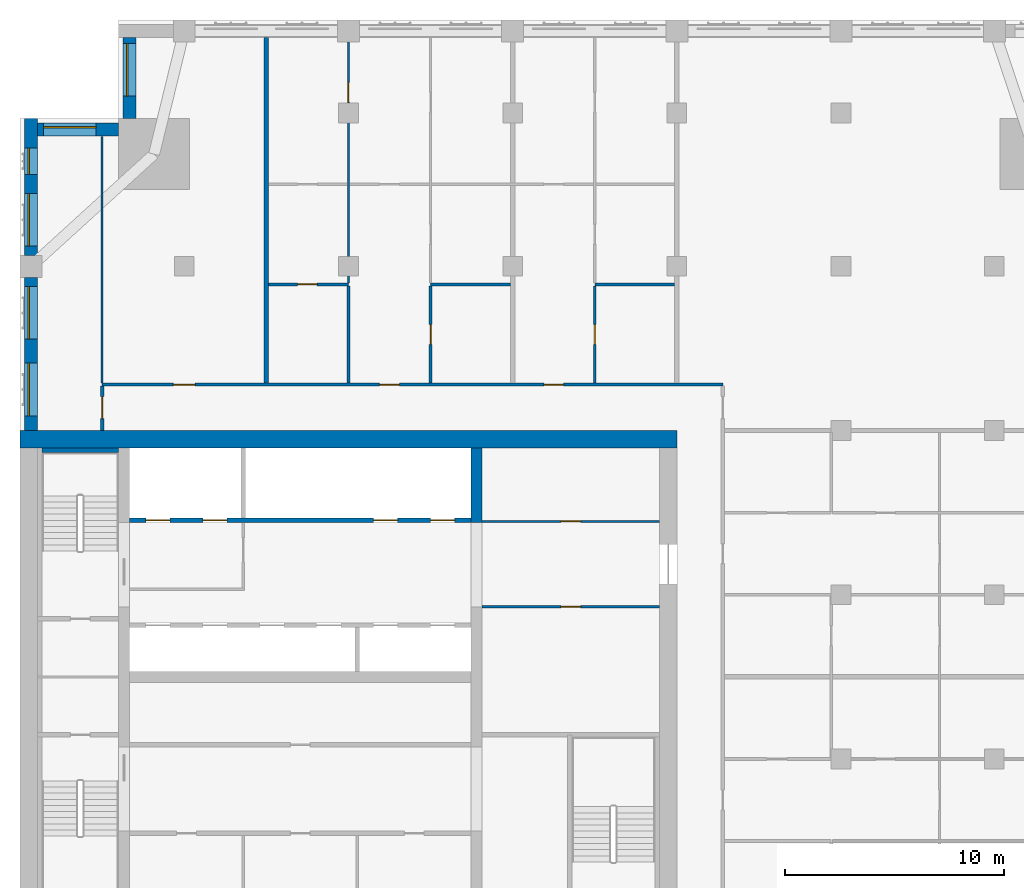
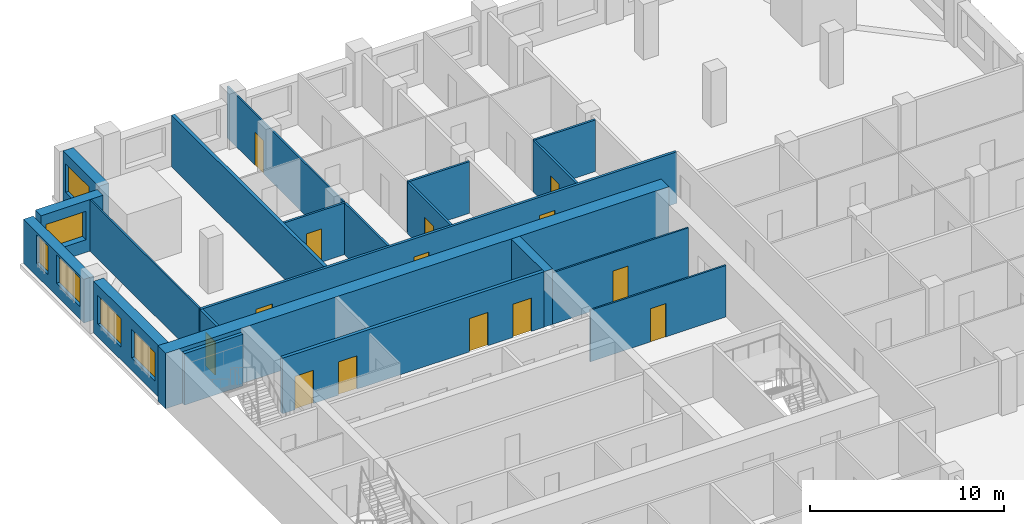
# One storey, part 10 of 14: 21 walls, 14 doors, 6 windows, 20 openings.
"""IFC4 building model written with IfcOpenShell, lengths in metres."""

import ifcopenshell
import ifcopenshell.guid

model = None  # the IFC model being written
_history = None  # IfcOwnerHistory: only IFC2X3 demands one
_inside = {}  # id of a spatial element -> (the spatial element, [elements in it])
_under = {}  # id of a project, library or spatial element -> (it, [spatial elements below it])
_declared = {}  # id of a project -> (the project, [libraries it declares])
_typed = {}  # id of a type object -> (the type object, [elements of that type])
_made_of = {}  # id of a material, layer set ... -> (it, [elements and type objects made of it])


def new_model(schema):
    """Start an empty IFC model of exactly this schema.

    Asked for "IFC4X3", IfcOpenShell would pick the latest addendum, in which some entities
    have other attributes; the version numbers below select the first issue.
    IFC2X3 requires an IfcOwnerHistory on every rooted entity: one is made here for all.
    """
    global model, _history
    if schema == "IFC4X3":
        model = ifcopenshell.file(schema_version=(4, 3, 0, 0))
    else:
        model = ifcopenshell.file(schema=schema)
    _inside.clear()
    _under.clear()
    _declared.clear()
    _typed.clear()
    _made_of.clear()
    _history = None
    if model.schema == "IFC2X3":
        org = make("IfcOrganization", Name="unknown")
        user = make(
            "IfcPersonAndOrganization",
            ThePerson=make("IfcPerson", FamilyName="unknown"),
            TheOrganization=org,
        )
        app = make(
            "IfcApplication",
            ApplicationDeveloper=org,
            Version="unknown",
            ApplicationFullName="unknown",
            ApplicationIdentifier="unknown",
        )
        _history = make(
            "IfcOwnerHistory",
            OwningUser=user,
            OwningApplication=app,
            ChangeAction="ADDED",
            CreationDate=0,
        )
    return model


def make(cls, **values):
    """One entity of the class cls with the attributes given. An attribute that is None is left unset."""
    return model.create_entity(
        cls, **{name: value for name, value in values.items() if value is not None}
    )


def rooted(cls, **values):
    """An entity with a GlobalId (a new one), such as an element, a storey or a relation."""
    return make(cls, GlobalId=ifcopenshell.guid.new(), OwnerHistory=_history, **values)


def si_unit(unit_type, name, prefix=None):
    """IfcSIUnit, for example si_unit("LENGTHUNIT", "METRE", prefix="MILLI")."""
    return make("IfcSIUnit", UnitType=unit_type, Prefix=prefix, Name=name)


def assignment(units):
    """IfcUnitAssignment: the units of a project."""
    return None if units is None else make("IfcUnitAssignment", Units=units)


def point(xyz):
    """IfcCartesianPoint."""
    return None if xyz is None else make("IfcCartesianPoint", Coordinates=xyz)


def direction(xyz):
    """IfcDirection."""
    return None if xyz is None else make("IfcDirection", DirectionRatios=xyz)


def frame(location, z_axis=None, x_axis=None):
    """IfcAxis2Placement3D, a coordinate frame: its origin and axes. An axis left out is left unset."""
    return make(
        "IfcAxis2Placement3D",
        Location=point(location),
        Axis=direction(z_axis),
        RefDirection=direction(x_axis),
    )


def frame_2d(location, x_axis=None):
    """IfcAxis2Placement2D, a coordinate frame in the plane: its origin and x axis."""
    return make(
        "IfcAxis2Placement2D", Location=point(location), RefDirection=direction(x_axis)
    )


def origin():
    """The frame at (0, 0, 0) with its axes left unset."""
    return frame((0.0, 0.0, 0.0))


def place(relative_to, where):
    """IfcLocalPlacement: puts the frame where relative to a parent placement (None: the world)."""
    return make(
        "IfcLocalPlacement", PlacementRelTo=relative_to, RelativePlacement=where
    )


def context(
    kind, dimensions, precision=None, world=None, true_north=None, identifier=None
):
    """IfcGeometricRepresentationContext, for example the 3D "Model" context."""
    return make(
        "IfcGeometricRepresentationContext",
        ContextIdentifier=identifier,
        ContextType=kind,
        CoordinateSpaceDimension=dimensions,
        Precision=precision,
        WorldCoordinateSystem=world,
        TrueNorth=true_north,
    )


def subcontext(parent, identifier, kind, view, scale=None):
    """IfcGeometricRepresentationSubContext, for example "Body" below "Model"."""
    return make(
        "IfcGeometricRepresentationSubContext",
        ContextIdentifier=identifier,
        ContextType=kind,
        ParentContext=parent,
        TargetScale=scale,
        TargetView=view,
    )


def project(units=None, contexts=None):
    """IfcProject with its units and contexts."""
    return rooted(
        "IfcProject",
        Name="project",
        RepresentationContexts=contexts,
        UnitsInContext=assignment(units),
    )


def spatial(cls, under=None, at=None, **own):
    """A site, building, storey or space (cls), placed at a placement, below another one or the project."""
    s = rooted(cls, ObjectPlacement=at, **own)
    if under is not None:
        _under.setdefault(under.id(), (under, []))[1].append(s)
    return s


def profile(cls, at=None, kind="AREA", **sizes):
    """A parametric profile (cls). Its sizes go by their IFC names, for example OverallWidth=200.0."""
    return make(cls, ProfileType=kind, Position=at, **sizes)


def rectangle(**sizes):
    """IfcRectangleProfileDef."""
    return profile("IfcRectangleProfileDef", **sizes)


def extrude(swept, where, along, depth):
    """IfcExtrudedAreaSolid: the profile swept, set in the frame where, extruded along a direction by depth."""
    return make(
        "IfcExtrudedAreaSolid",
        SweptArea=swept,
        Position=where,
        ExtrudedDirection=direction(along),
        Depth=depth,
    )


def shape(context_of_items, identifier, shape_type, items):
    """IfcShapeRepresentation: the items that make up one representation, for example the "Body"."""
    return make(
        "IfcShapeRepresentation",
        ContextOfItems=context_of_items,
        RepresentationIdentifier=identifier,
        RepresentationType=shape_type,
        Items=items,
    )


def material(Name=None, Category=None):
    """IfcMaterial."""
    return make("IfcMaterial", Name=Name, Category=Category)


def layer(
    of_material, thickness, ventilated=None, Name=None, Category=None, Priority=None
):
    """IfcMaterialLayer: one layer of a wall or slab, of a material (None: an air gap)."""
    return make(
        "IfcMaterialLayer",
        Material=of_material,
        LayerThickness=thickness,
        IsVentilated=ventilated,
        Name=Name,
        Category=Category,
        Priority=Priority,
    )


def layer_set(layers, Name=None):
    """IfcMaterialLayerSet."""
    return make("IfcMaterialLayerSet", MaterialLayers=layers, LayerSetName=Name)


def made_of(thing, what):
    """Note that an element or type object is made of a material, layer set ...; save() writes the relation."""
    if what is not None:
        _made_of.setdefault(what.id(), (what, []))[1].append(thing)
    return thing


def type_object(cls, material=None, **own):
    """A type object (cls), such as IfcWallType, which elements share."""
    return made_of(rooted(cls, **own), material)


def element(
    cls,
    number,
    at=None,
    inside=None,
    cuts=None,
    type_object=None,
    material=None,
    context=None,
    identifier="Body",
    shape_type=None,
    held_by="IfcProductDefinitionShape",
    body=None,
    shapes=None,
    **own,
):
    """One element of the class cls, such as IfcWall. Its Tag is "e" and its number.

    at: its placement. inside: the storey or other place that contains it. cuts: it is an
    opening in that element (IfcRelVoidsElement). A single representation is given by context,
    identifier, shape_type and body (its items); several are given by shapes. held_by: the class
    of the entity that holds the representations. save() writes the other relations.
    """
    e = rooted(cls, Tag="e%d" % number, ObjectPlacement=at, **own)
    if body is not None:
        shapes = [shape(context, identifier, shape_type, body)]
    if shapes is not None:
        e.Representation = make(held_by, Representations=shapes)
    if inside is not None:
        _inside.setdefault(inside.id(), (inside, []))[1].append(e)
    if cuts is not None:
        rooted(
            "IfcRelVoidsElement", RelatingBuildingElement=cuts, RelatedOpeningElement=e
        )
    if type_object is not None:
        _typed.setdefault(type_object.id(), (type_object, []))[1].append(e)
    return made_of(e, material)


def fill(opening, filler):
    """IfcRelFillsElement: the door or window that sits in an opening."""
    return rooted(
        "IfcRelFillsElement",
        RelatingOpeningElement=opening,
        RelatedBuildingElement=filler,
    )


def aggregate(whole, parts):
    """IfcRelAggregates: a whole, such as a stair, and the parts it consists of."""
    return rooted("IfcRelAggregates", RelatingObject=whole, RelatedObjects=parts)


def save(model, path):
    """Write the relations noted so far, then the file.

    IfcRelAggregates (storeys below a building ...), IfcRelContainedInSpatialStructure (elements
    in a storey), IfcRelDefinesByType, IfcRelAssociatesMaterial and IfcRelDeclares: one each for
    every whole, place, type object, material and project.
    """
    for whole, parts in _under.values():
        aggregate(whole, parts)
    for where, things in _inside.values():
        rooted(
            "IfcRelContainedInSpatialStructure",
            RelatedElements=things,
            RelatingStructure=where,
        )
    for kind, things in _typed.values():
        rooted("IfcRelDefinesByType", RelatedObjects=things, RelatingType=kind)
    for what, things in _made_of.values():
        rooted("IfcRelAssociatesMaterial", RelatedObjects=things, RelatingMaterial=what)
    for by, libraries in _declared.values():
        rooted("IfcRelDeclares", RelatingContext=by, RelatedDefinitions=libraries)
    model.write(path)


model = new_model("IFC4")

# Units and contexts
model_context = context("Model", 3, precision=1e-05, world=origin(), true_north=direction((0.0, 1.0)))
body_context = subcontext(model_context, "Body", "Model", "MODEL_VIEW")
ifc_project = project(units=[si_unit("LENGTHUNIT", "METRE"), si_unit("AREAUNIT", "SQUARE_METRE"), si_unit("VOLUMEUNIT", "CUBIC_METRE"), si_unit("PLANEANGLEUNIT", "RADIAN"), si_unit("MASSUNIT", "GRAM", prefix="KILO")], contexts=[model_context])

# Site, building, storey
site_placement = place(None, origin())
site = spatial("IfcSite", under=ifc_project, at=site_placement, CompositionType="ELEMENT")
building_placement = place(site_placement, origin())
building = spatial("IfcBuilding", under=site, at=building_placement, Name="Tamorin Gate", CompositionType="ELEMENT")
storey_placement = place(building_placement, frame((0.0, 0.0, 179.199951171875)))
storey = spatial("IfcBuildingStorey", under=building, at=storey_placement, Name="L43", CompositionType="ELEMENT", Elevation=179.199951171875)

# Wall, opening, window
ifc_material_1 = material(Name="Precast concrete C40/50", Category="concrete")
ifc_layer_1 = layer(ifc_material_1, 0.60009765625)
ifc_layer_set_1 = layer_set([ifc_layer_1], Name="Precast concrete C40/50")
wall_type_1 = type_object("IfcWallType", Name="Board-marked concrete facade panel 600", PredefinedType="SOLIDWALL", material=ifc_layer_set_1)
wall_1_placement = place(storey_placement, frame((35.0, 100.449951171875, 0.0), z_axis=(0.0, 0.0, 1.0), x_axis=(0.0, -1.0, 0.0)))
wall_1 = element("IfcWall", 1, at=wall_1_placement, inside=storey, type_object=wall_type_1, Name="Facade panel", PredefinedType="SOLIDWALL", context=body_context, shape_type="SweptSolid", body=[
    extrude(rectangle(XDim=3.699951171875, YDim=0.60009765625, at=frame_2d((1.85009765625, 0.0))), origin(), (0.0, 0.0, 1.0), 3.25),
])
opening_1_placement = place(wall_1_placement, frame((0.27490234375, 0.0, 0.800048828125)))
opening_1 = element("IfcOpeningElement", 2, at=opening_1_placement, cuts=wall_1, Name="Opening WN1", PredefinedType="OPENING", context=body_context, shape_type="SweptSolid", body=[
    extrude(rectangle(XDim=2.39990234375, YDim=1.800048828125, at=frame_2d((1.199951171875, 0.89990234375))), frame((0.0, 0.31005859375, 0.0), z_axis=(0.0, -1.0, 0.0), x_axis=(1.0, 0.0, 0.0)), (0.0, 0.0, 1.0), 0.6201171875),
])
ifc_material_2 = material(Name="Clear glass in aluminium frame", Category="aluminium")
window_type_1 = type_object("IfcWindowType", Name="Deep-set window 2400x1800", PartitioningType="SINGLE_PANEL", PredefinedType="WINDOW", material=ifc_material_2)
window_1_placement = place(opening_1_placement, origin())
window_1 = element("IfcWindow", 3, at=window_1_placement, inside=storey, type_object=window_type_1, Name="Deep-set window", OverallHeight=1.800048828125, OverallWidth=2.39990234375, PartitioningType="SINGLE_PANEL", PredefinedType="WINDOW", context=body_context, shape_type="SweptSolid", body=[
    extrude(rectangle(XDim=2.39990234375, YDim=1.800048828125, at=frame_2d((1.199951171875, 0.89990234375))), frame((0.0, -0.070068359375, 0.0), z_axis=(0.0, -1.0, 0.0), x_axis=(1.0, 0.0, 0.0)), (0.0, 0.0, 1.0), 0.06005859375),
])
fill(opening_1, window_1)

wall_2_placement = place(storey_placement, frame((34.5, 96.25, 0.0), z_axis=(0.0, 0.0, 1.0), x_axis=(-1.0, 0.0, 0.0)))
wall_2 = element("IfcWall", 4, at=wall_2_placement, inside=storey, type_object=wall_type_1, Name="Facade panel", PredefinedType="SOLIDWALL", context=body_context, shape_type="SweptSolid", body=[
    extrude(rectangle(XDim=3.699951171875, YDim=0.60009765625, at=frame_2d((1.85009765625, 0.0))), origin(), (0.0, 0.0, 1.0), 3.25),
])
opening_2_placement = place(wall_2_placement, frame((1.02490234375, 0.0, 0.800048828125)))
opening_2 = element("IfcOpeningElement", 5, at=opening_2_placement, cuts=wall_2, Name="Opening WN1", PredefinedType="OPENING", context=body_context, shape_type="SweptSolid", body=[
    extrude(rectangle(XDim=2.39990234375, YDim=1.800048828125, at=frame_2d((1.199951171875, 0.89990234375))), frame((0.0, 0.31005859375, 0.0), z_axis=(0.0, -1.0, 0.0), x_axis=(1.0, 0.0, 0.0)), (0.0, 0.0, 1.0), 0.6201171875),
])
window_2_placement = place(opening_2_placement, origin())
window_2 = element("IfcWindow", 6, at=window_2_placement, inside=storey, type_object=window_type_1, Name="Deep-set window", OverallHeight=1.800048828125, OverallWidth=2.39990234375, PartitioningType="SINGLE_PANEL", PredefinedType="WINDOW", context=body_context, shape_type="SweptSolid", body=[
    extrude(rectangle(XDim=2.39990234375, YDim=1.800048828125, at=frame_2d((1.199951171875, 0.89990234375))), frame((0.0, -0.070068359375, 0.0), z_axis=(0.0, -1.0, 0.0), x_axis=(1.0, 0.0, 0.0)), (0.0, 0.0, 1.0), 0.06005859375),
])
fill(opening_2, window_2)

# Wall, openings, windows
wall_3_placement = place(storey_placement, frame((30.5, 96.75, 0.0), z_axis=(0.0, 0.0, 1.0), x_axis=(0.0, -1.0, 0.0)))
wall_3 = element("IfcWall", 7, at=wall_3_placement, inside=storey, type_object=wall_type_1, Name="Facade panel", PredefinedType="SOLIDWALL", context=body_context, shape_type="SweptSolid", body=[
    extrude(rectangle(XDim=6.25, YDim=0.60009765625, at=frame_2d((3.125, 0.0))), origin(), (0.0, 0.0, 1.0), 2.75),
])
opening_3_placement = place(wall_3_placement, frame((3.425048828125, 0.0, 0.800048828125)))
opening_3 = element("IfcOpeningElement", 8, at=opening_3_placement, cuts=wall_3, Name="Opening WN1", PredefinedType="OPENING", context=body_context, shape_type="SweptSolid", body=[
    extrude(rectangle(XDim=2.39990234375, YDim=1.800048828125, at=frame_2d((1.199951171875, 0.89990234375))), frame((0.0, 0.31005859375, 0.0), z_axis=(0.0, -1.0, 0.0), x_axis=(1.0, 0.0, 0.0)), (0.0, 0.0, 1.0), 0.6201171875),
])
opening_4_placement = place(wall_3_placement, frame((1.35009765625, 0.0, 0.800048828125)))
opening_4 = element("IfcOpeningElement", 9, at=opening_4_placement, cuts=wall_3, Name="Opening WN3", PredefinedType="OPENING", context=body_context, shape_type="SweptSolid", body=[
    extrude(rectangle(XDim=1.199951171875, YDim=1.800048828125, at=frame_2d((0.60009765625, 0.89990234375))), frame((0.0, 0.31005859375, 0.0), z_axis=(0.0, -1.0, 0.0), x_axis=(1.0, 0.0, 0.0)), (0.0, 0.0, 1.0), 0.6201171875),
])
window_type_2 = type_object("IfcWindowType", Name="Deep-set window 1200x1800", PartitioningType="SINGLE_PANEL", PredefinedType="WINDOW", material=ifc_material_2)
window_3_placement = place(opening_4_placement, origin())
window_3 = element("IfcWindow", 10, at=window_3_placement, inside=storey, type_object=window_type_2, Name="Deep-set window", OverallHeight=1.800048828125, OverallWidth=1.199951171875, PartitioningType="SINGLE_PANEL", PredefinedType="WINDOW", context=body_context, shape_type="SweptSolid", body=[
    extrude(rectangle(XDim=1.199951171875, YDim=1.800048828125, at=frame_2d((0.60009765625, 0.89990234375))), frame((0.0, -0.070068359375, 0.0), z_axis=(0.0, -1.0, 0.0), x_axis=(1.0, 0.0, 0.0)), (0.0, 0.0, 1.0), 0.06005859375),
])
fill(opening_4, window_3)
window_4_placement = place(opening_3_placement, origin())
window_4 = element("IfcWindow", 11, at=window_4_placement, inside=storey, type_object=window_type_1, Name="Deep-set window", OverallHeight=1.800048828125, OverallWidth=2.39990234375, PartitioningType="SINGLE_PANEL", PredefinedType="WINDOW", context=body_context, shape_type="SweptSolid", body=[
    extrude(rectangle(XDim=2.39990234375, YDim=1.800048828125, at=frame_2d((1.199951171875, 0.89990234375))), frame((0.0, -0.070068359375, 0.0), z_axis=(0.0, -1.0, 0.0), x_axis=(1.0, 0.0, 0.0)), (0.0, 0.0, 1.0), 0.06005859375),
])
fill(opening_3, window_4)

wall_4_placement = place(storey_placement, frame((30.5, 89.5, 0.0), z_axis=(0.0, 0.0, 1.0), x_axis=(0.0, -1.0, 0.0)))
wall_4 = element("IfcWall", 12, at=wall_4_placement, inside=storey, type_object=wall_type_1, Name="Facade panel", PredefinedType="SOLIDWALL", context=body_context, shape_type="SweptSolid", body=[
    extrude(rectangle(XDim=7.0, YDim=0.60009765625, at=frame_2d((3.5, 0.0))), origin(), (0.0, 0.0, 1.0), 3.25),
])
opening_5_placement = place(wall_4_placement, frame((3.925048828125, 0.0, 0.800048828125)))
opening_5 = element("IfcOpeningElement", 13, at=opening_5_placement, cuts=wall_4, Name="Opening WN1", PredefinedType="OPENING", context=body_context, shape_type="SweptSolid", body=[
    extrude(rectangle(XDim=2.39990234375, YDim=1.800048828125, at=frame_2d((1.199951171875, 0.89990234375))), frame((0.0, 0.31005859375, 0.0), z_axis=(0.0, -1.0, 0.0), x_axis=(1.0, 0.0, 0.0)), (0.0, 0.0, 1.0), 0.6201171875),
])
opening_6_placement = place(wall_4_placement, frame((0.425048828125, 0.0, 0.800048828125)))
opening_6 = element("IfcOpeningElement", 14, at=opening_6_placement, cuts=wall_4, Name="Opening WN1", PredefinedType="OPENING", context=body_context, shape_type="SweptSolid", body=[
    extrude(rectangle(XDim=2.39990234375, YDim=1.800048828125, at=frame_2d((1.199951171875, 0.89990234375))), frame((0.0, 0.31005859375, 0.0), z_axis=(0.0, -1.0, 0.0), x_axis=(1.0, 0.0, 0.0)), (0.0, 0.0, 1.0), 0.6201171875),
])
window_5_placement = place(opening_5_placement, origin())
window_5 = element("IfcWindow", 15, at=window_5_placement, inside=storey, type_object=window_type_1, Name="Deep-set window", OverallHeight=1.800048828125, OverallWidth=2.39990234375, PartitioningType="SINGLE_PANEL", PredefinedType="WINDOW", context=body_context, shape_type="SweptSolid", body=[
    extrude(rectangle(XDim=2.39990234375, YDim=1.800048828125, at=frame_2d((1.199951171875, 0.89990234375))), frame((0.0, -0.070068359375, 0.0), z_axis=(0.0, -1.0, 0.0), x_axis=(1.0, 0.0, 0.0)), (0.0, 0.0, 1.0), 0.06005859375),
])
fill(opening_5, window_5)
window_6_placement = place(opening_6_placement, origin())
window_6 = element("IfcWindow", 16, at=window_6_placement, inside=storey, type_object=window_type_1, Name="Deep-set window", OverallHeight=1.800048828125, OverallWidth=2.39990234375, PartitioningType="SINGLE_PANEL", PredefinedType="WINDOW", context=body_context, shape_type="SweptSolid", body=[
    extrude(rectangle(XDim=2.39990234375, YDim=1.800048828125, at=frame_2d((1.199951171875, 0.89990234375))), frame((0.0, -0.070068359375, 0.0), z_axis=(0.0, -1.0, 0.0), x_axis=(1.0, 0.0, 0.0)), (0.0, 0.0, 1.0), 0.06005859375),
])
fill(opening_6, window_6)

# Wall, openings, doors
ifc_material_3 = material(Name="Gypsum board partition")
ifc_layer_2 = layer(ifc_material_3, 0.14990234375)
ifc_layer_set_2 = layer_set([ifc_layer_2], Name="Corridor wall 150")
wall_type_2 = type_object("IfcWallType", Name="Corridor wall 150", PredefinedType="PARTITIONING", material=ifc_layer_set_2)
wall_5_placement = place(storey_placement, frame((33.75, 84.60009765625, 0.0), z_axis=(0.0, 0.0, 1.0), x_axis=(1.0, 0.0, 0.0)))
wall_5 = element("IfcWall", 17, at=wall_5_placement, inside=storey, type_object=wall_type_2, Name="Corridor wall 150", PredefinedType="PARTITIONING", context=body_context, shape_type="SweptSolid", body=[
    extrude(rectangle(XDim=28.35009765625, YDim=0.14990234375, at=frame_2d((14.175048828125, 0.0))), origin(), (0.0, 0.0, 1.0), 3.25),
])
opening_7_placement = place(wall_5_placement, frame((3.25, 0.0, 0.0)))
opening_7 = element("IfcOpeningElement", 18, at=opening_7_placement, cuts=wall_5, Name="Opening DR1022", PredefinedType="OPENING", context=body_context, shape_type="SweptSolid", body=[
    extrude(rectangle(XDim=1.0, YDim=2.10009765625, at=frame_2d((0.5, 1.050048828125))), frame((0.0, 0.0849609375, 0.0), z_axis=(0.0, -1.0, 0.0), x_axis=(1.0, 0.0, 0.0)), (0.0, 0.0, 1.0), 0.169921875),
])
opening_8_placement = place(wall_5_placement, frame((12.675048828125, 0.0, 0.0)))
opening_8 = element("IfcOpeningElement", 19, at=opening_8_placement, cuts=wall_5, Name="Opening DR1025", PredefinedType="OPENING", context=body_context, shape_type="SweptSolid", body=[
    extrude(rectangle(XDim=0.89990234375, YDim=2.10009765625, at=frame_2d((0.449951171875, 1.050048828125))), frame((0.0, 0.0849609375, 0.0), z_axis=(0.0, -1.0, 0.0), x_axis=(1.0, 0.0, 0.0)), (0.0, 0.0, 1.0), 0.169921875),
])
opening_9_placement = place(wall_5_placement, frame((20.175048828125, 0.0, 0.0)))
opening_9 = element("IfcOpeningElement", 20, at=opening_9_placement, cuts=wall_5, Name="Opening DR1031", PredefinedType="OPENING", context=body_context, shape_type="SweptSolid", body=[
    extrude(rectangle(XDim=0.89990234375, YDim=2.10009765625, at=frame_2d((0.449951171875, 1.050048828125))), frame((0.0, 0.0849609375, 0.0), z_axis=(0.0, -1.0, 0.0), x_axis=(1.0, 0.0, 0.0)), (0.0, 0.0, 1.0), 0.169921875),
])
ifc_material_4 = material(Name="Timber door leaf", Category="wood")
door_type_1 = type_object("IfcDoorType", Name="Door 1000 x 2100 FD30S", OperationType="NOTDEFINED", PredefinedType="DOOR", material=ifc_material_4)
door_1_placement = place(opening_7_placement, origin())
door_1 = element("IfcDoor", 21, at=door_1_placement, inside=storey, type_object=door_type_1, Name="Door DR1022", OperationType="SINGLE_SWING_LEFT", OverallHeight=2.10009765625, OverallWidth=1.0, PredefinedType="DOOR", context=body_context, shape_type="SweptSolid", body=[
    extrude(rectangle(XDim=1.0, YDim=2.10009765625, at=frame_2d((0.5, 1.050048828125))), frame((0.0, 0.02490234375, 0.0), z_axis=(0.0, -1.0, 0.0), x_axis=(1.0, 0.0, 0.0)), (0.0, 0.0, 1.0), 0.050048828125),
])
fill(opening_7, door_1)
door_type_2 = type_object("IfcDoorType", Name="Door 900 x 2100 FD30S", OperationType="NOTDEFINED", PredefinedType="DOOR", material=ifc_material_4)
door_2_placement = place(opening_8_placement, origin())
door_2 = element("IfcDoor", 22, at=door_2_placement, inside=storey, type_object=door_type_2, Name="Door DR1025", OperationType="SINGLE_SWING_LEFT", OverallHeight=2.10009765625, OverallWidth=0.89990234375, PredefinedType="DOOR", context=body_context, shape_type="SweptSolid", body=[
    extrude(rectangle(XDim=0.89990234375, YDim=2.10009765625, at=frame_2d((0.449951171875, 1.050048828125))), frame((0.0, 0.02490234375, 0.0), z_axis=(0.0, -1.0, 0.0), x_axis=(1.0, 0.0, 0.0)), (0.0, 0.0, 1.0), 0.050048828125),
])
fill(opening_8, door_2)
door_3_placement = place(opening_9_placement, origin())
door_3 = element("IfcDoor", 23, at=door_3_placement, inside=storey, type_object=door_type_2, Name="Door DR1031", OperationType="SINGLE_SWING_LEFT", OverallHeight=2.10009765625, OverallWidth=0.89990234375, PredefinedType="DOOR", context=body_context, shape_type="SweptSolid", body=[
    extrude(rectangle(XDim=0.89990234375, YDim=2.10009765625, at=frame_2d((0.449951171875, 1.050048828125))), frame((0.0, 0.02490234375, 0.0), z_axis=(0.0, -1.0, 0.0), x_axis=(1.0, 0.0, 0.0)), (0.0, 0.0, 1.0), 0.050048828125),
])
fill(opening_9, door_3)

# Wall, opening, door
wall_6_placement = place(storey_placement, frame((33.75, 82.5, 0.0), z_axis=(0.0, 0.0, 1.0), x_axis=(0.0, 1.0, 0.0)))
wall_6 = element("IfcWall", 24, at=wall_6_placement, inside=storey, type_object=wall_type_2, Name="Corridor wall 150", PredefinedType="PARTITIONING", context=body_context, shape_type="SweptSolid", body=[
    extrude(rectangle(XDim=2.02490234375, YDim=0.14990234375, at=frame_2d((1.012451171875, 0.0))), origin(), (0.0, 0.0, 1.0), 3.25),
])
opening_10_placement = place(wall_6_placement, frame((0.550048828125, 0.0, 0.0)))
opening_10 = element("IfcOpeningElement", 25, at=opening_10_placement, cuts=wall_6, Name="Opening DR1021", PredefinedType="OPENING", context=body_context, shape_type="SweptSolid", body=[
    extrude(rectangle(XDim=1.0, YDim=2.10009765625, at=frame_2d((0.5, 1.050048828125))), frame((0.0, 0.0849609375, 0.0), z_axis=(0.0, -1.0, 0.0), x_axis=(1.0, 0.0, 0.0)), (0.0, 0.0, 1.0), 0.169921875),
])
door_4_placement = place(opening_10_placement, origin())
door_4 = element("IfcDoor", 26, at=door_4_placement, inside=storey, type_object=door_type_1, Name="Door DR1021", OperationType="SINGLE_SWING_LEFT", OverallHeight=2.10009765625, OverallWidth=1.0, PredefinedType="DOOR", context=body_context, shape_type="SweptSolid", body=[
    extrude(rectangle(XDim=1.0, YDim=2.10009765625, at=frame_2d((0.5, 1.050048828125))), frame((0.0, 0.02490234375, 0.0), z_axis=(0.0, -1.0, 0.0), x_axis=(1.0, 0.0, 0.0)), (0.0, 0.0, 1.0), 0.050048828125),
])
fill(opening_10, door_4)

# Wall
ifc_layer_3 = layer(ifc_material_3, 0.199951171875)
ifc_layer_set_3 = layer_set([ifc_layer_3], Name="Demising wall 200")
wall_type_3 = type_object("IfcWallType", Name="Demising wall 200", PredefinedType="PARTITIONING", material=ifc_layer_set_3)
wall_7_placement = place(storey_placement, frame((41.25, 84.675048828125, 0.0), z_axis=(0.0, 0.0, 1.0), x_axis=(0.0, 1.0, 0.0)))
element("IfcWall", 27, at=wall_7_placement, inside=storey, type_object=wall_type_3, Name="Demising wall 200", PredefinedType="PARTITIONING", context=body_context, shape_type="SweptSolid", body=[
    extrude(rectangle(XDim=15.764892578125, YDim=0.199951171875, at=frame_2d((7.88232421875, 0.0))), origin(), (0.0, 0.0, 1.0), 3.25),
])

# Wall, openings, doors
ifc_material_5 = material(Name="Concrete C32/40", Category="concrete")
ifc_layer_4 = layer(ifc_material_5, 0.199951171875)
ifc_layer_set_4 = layer_set([ifc_layer_4], Name="Lift lobby face wall 200 EI 120")
wall_type_4 = type_object("IfcWallType", Name="Lift lobby face wall 200 EI 120", PredefinedType="SOLIDWALL", material=ifc_layer_set_4)
wall_8_placement = place(storey_placement, frame((35.0, 78.39990234375, 0.0), z_axis=(0.0, 0.0, 1.0), x_axis=(1.0, 0.0, 0.0)))
wall_8 = element("IfcWall", 28, at=wall_8_placement, inside=storey, type_object=wall_type_4, Name="Lift lobby face wall", PredefinedType="SOLIDWALL", context=body_context, shape_type="SweptSolid", body=[
    extrude(rectangle(XDim=15.60009765625, YDim=0.199951171875, at=frame_2d((7.800048828125, 0.0))), origin(), (0.0, 0.0, 1.0), 3.5),
])
opening_11_placement = place(wall_8_placement, frame((0.75, 0.0, 0.0)))
opening_11 = element("IfcOpeningElement", 29, at=opening_11_placement, cuts=wall_8, Name="Opening LD17", PredefinedType="OPENING", context=body_context, shape_type="SweptSolid", body=[
    extrude(rectangle(XDim=1.10009765625, YDim=2.10009765625, at=frame_2d((0.550048828125, 1.050048828125))), frame((0.0, 0.10986328125, 0.0), z_axis=(0.0, -1.0, 0.0), x_axis=(1.0, 0.0, 0.0)), (0.0, 0.0, 1.0), 0.219970703125),
])
opening_12_placement = place(wall_8_placement, frame((3.35009765625, 0.0, 0.0)))
opening_12 = element("IfcOpeningElement", 30, at=opening_12_placement, cuts=wall_8, Name="Opening LD18", PredefinedType="OPENING", context=body_context, shape_type="SweptSolid", body=[
    extrude(rectangle(XDim=1.10009765625, YDim=2.10009765625, at=frame_2d((0.550048828125, 1.050048828125))), frame((0.0, 0.10986328125, 0.0), z_axis=(0.0, -1.0, 0.0), x_axis=(1.0, 0.0, 0.0)), (0.0, 0.0, 1.0), 0.219970703125),
])
opening_13_placement = place(wall_8_placement, frame((11.14990234375, 0.0, 0.0)))
opening_13 = element("IfcOpeningElement", 31, at=opening_13_placement, cuts=wall_8, Name="Opening LD21", PredefinedType="OPENING", context=body_context, shape_type="SweptSolid", body=[
    extrude(rectangle(XDim=1.10009765625, YDim=2.10009765625, at=frame_2d((0.550048828125, 1.050048828125))), frame((0.0, 0.10986328125, 0.0), z_axis=(0.0, -1.0, 0.0), x_axis=(1.0, 0.0, 0.0)), (0.0, 0.0, 1.0), 0.219970703125),
])
opening_14_placement = place(wall_8_placement, frame((13.75, 0.0, 0.0)))
opening_14 = element("IfcOpeningElement", 32, at=opening_14_placement, cuts=wall_8, Name="Opening LD22", PredefinedType="OPENING", context=body_context, shape_type="SweptSolid", body=[
    extrude(rectangle(XDim=1.10009765625, YDim=2.10009765625, at=frame_2d((0.550048828125, 1.050048828125))), frame((0.0, 0.10986328125, 0.0), z_axis=(0.0, -1.0, 0.0), x_axis=(1.0, 0.0, 0.0)), (0.0, 0.0, 1.0), 0.219970703125),
])
ifc_material_6 = material(Name="Stainless steel sliding door", Category="steel")
door_type_3 = type_object("IfcDoorType", Name="Lift landing door 1100 x 2100 E 90", OperationType="DOUBLE_DOOR_SLIDING", PredefinedType="DOOR", material=ifc_material_6)
door_5_placement = place(opening_11_placement, origin())
door_5 = element("IfcDoor", 33, at=door_5_placement, inside=storey, type_object=door_type_3, Name="FF1 landing door", OperationType="DOUBLE_DOOR_SLIDING", OverallHeight=2.10009765625, OverallWidth=1.10009765625, PredefinedType="DOOR", context=body_context, shape_type="SweptSolid", body=[
    extrude(rectangle(XDim=1.10009765625, YDim=2.10009765625, at=frame_2d((0.550048828125, 1.050048828125))), frame((0.0, 0.02490234375, 0.0), z_axis=(0.0, -1.0, 0.0), x_axis=(1.0, 0.0, 0.0)), (0.0, 0.0, 1.0), 0.050048828125),
])
fill(opening_11, door_5)
door_6_placement = place(opening_12_placement, origin())
door_6 = element("IfcDoor", 34, at=door_6_placement, inside=storey, type_object=door_type_3, Name="FF2 landing door", OperationType="DOUBLE_DOOR_SLIDING", OverallHeight=2.10009765625, OverallWidth=1.10009765625, PredefinedType="DOOR", context=body_context, shape_type="SweptSolid", body=[
    extrude(rectangle(XDim=1.10009765625, YDim=2.10009765625, at=frame_2d((0.550048828125, 1.050048828125))), frame((0.0, 0.02490234375, 0.0), z_axis=(0.0, -1.0, 0.0), x_axis=(1.0, 0.0, 0.0)), (0.0, 0.0, 1.0), 0.050048828125),
])
fill(opening_12, door_6)
door_7_placement = place(opening_13_placement, origin())
door_7 = element("IfcDoor", 35, at=door_7_placement, inside=storey, type_object=door_type_3, Name="SV1 landing door", OperationType="DOUBLE_DOOR_SLIDING", OverallHeight=2.10009765625, OverallWidth=1.10009765625, PredefinedType="DOOR", context=body_context, shape_type="SweptSolid", body=[
    extrude(rectangle(XDim=1.10009765625, YDim=2.10009765625, at=frame_2d((0.550048828125, 1.050048828125))), frame((0.0, 0.02490234375, 0.0), z_axis=(0.0, -1.0, 0.0), x_axis=(1.0, 0.0, 0.0)), (0.0, 0.0, 1.0), 0.050048828125),
])
fill(opening_13, door_7)
door_8_placement = place(opening_14_placement, origin())
door_8 = element("IfcDoor", 36, at=door_8_placement, inside=storey, type_object=door_type_3, Name="SV2 landing door", OperationType="DOUBLE_DOOR_SLIDING", OverallHeight=2.10009765625, OverallWidth=1.10009765625, PredefinedType="DOOR", context=body_context, shape_type="SweptSolid", body=[
    extrude(rectangle(XDim=1.10009765625, YDim=2.10009765625, at=frame_2d((0.550048828125, 1.050048828125))), frame((0.0, 0.02490234375, 0.0), z_axis=(0.0, -1.0, 0.0), x_axis=(1.0, 0.0, 0.0)), (0.0, 0.0, 1.0), 0.050048828125),
])
fill(opening_14, door_8)

# Walls
ifc_material_7 = material(Name="Concrete C60/75", Category="concrete")
ifc_layer_5 = layer(ifc_material_7, 0.5)
ifc_layer_set_5 = layer_set([ifc_layer_5], Name="RC core internal wall 500 C60/75")
wall_type_5 = type_object("IfcWallType", Name="RC core internal wall 500 C60/75", PredefinedType="SHEAR", material=ifc_layer_set_5)
wall_9_placement = place(storey_placement, frame((50.85009765625, 78.300048828125, 0.0), z_axis=(0.0, 0.0, 1.0), x_axis=(0.0, 1.0, 0.0)))
element("IfcWall", 37, at=wall_9_placement, inside=storey, type_object=wall_type_5, Name="Core cross wall L43", PredefinedType="SHEAR", context=body_context, shape_type="SweptSolid", body=[
    extrude(rectangle(XDim=3.39990234375, YDim=0.5, at=frame_2d((1.699951171875, 0.0))), origin(), (0.0, 0.0, 1.0), 3.5),
])
ifc_layer_6 = layer(ifc_material_7, 0.800048828125)
ifc_layer_set_6 = layer_set([ifc_layer_6], Name="RC core wall 800 C60/75")
wall_type_6 = type_object("IfcWallType", Name="RC core wall 800 C60/75", PredefinedType="SHEAR", material=ifc_layer_set_6)
wall_10_placement = place(storey_placement, frame((30.0, 82.10009765625, 0.0), z_axis=(0.0, 0.0, 1.0), x_axis=(1.0, 0.0, 0.0)))
element("IfcWall", 38, at=wall_10_placement, inside=storey, type_object=wall_type_6, Name="Core wall L43", PredefinedType="SHEAR", context=body_context, shape_type="SweptSolid", body=[
    extrude(rectangle(XDim=30.0, YDim=0.800048828125, at=frame_2d((15.0, 0.0))), origin(), (0.0, 0.0, 1.0), 3.5),
])
ifc_layer_7 = layer(ifc_material_3, 0.10009765625)
ifc_layer_set_7 = layer_set([ifc_layer_7], Name="Room partition 100")
wall_type_7 = type_object("IfcWallType", Name="Room partition 100", PredefinedType="PARTITIONING", material=ifc_layer_set_7)
wall_11_placement = place(storey_placement, frame((33.75, 84.675048828125, 0.0), z_axis=(0.0, 0.0, 1.0), x_axis=(0.0, 1.0, 0.0)))
element("IfcWall", 39, at=wall_11_placement, inside=storey, type_object=wall_type_7, Name="Room partition 100", PredefinedType="PARTITIONING", context=body_context, shape_type="SweptSolid", body=[
    extrude(rectangle(XDim=11.264892578125, YDim=0.10009765625, at=frame_2d((5.63232421875, 0.0))), origin(), (0.0, 0.0, 1.0), 3.25),
])

# Wall, opening, door
wall_12_placement = place(storey_placement, frame((45.0, 89.237548828125, 0.0), z_axis=(0.0, 0.0, 1.0), x_axis=(0.0, 1.0, 0.0)))
wall_12 = element("IfcWall", 40, at=wall_12_placement, inside=storey, type_object=wall_type_7, Name="Room partition 100", PredefinedType="PARTITIONING", context=body_context, shape_type="SweptSolid", body=[
    extrude(rectangle(XDim=12.012451171875, YDim=0.10009765625, at=frame_2d((6.00634765625, 0.0))), origin(), (0.0, 0.0, 1.0), 3.25),
])
opening_15_placement = place(wall_12_placement, frame((8.262451171875, 0.0, 0.0)))
opening_15 = element("IfcOpeningElement", 41, at=opening_15_placement, cuts=wall_12, Name="Opening DR1029", PredefinedType="OPENING", context=body_context, shape_type="SweptSolid", body=[
    extrude(rectangle(XDim=0.89990234375, YDim=2.10009765625, at=frame_2d((0.449951171875, 1.050048828125))), frame((0.0, 0.06005859375, 0.0), z_axis=(0.0, -1.0, 0.0), x_axis=(1.0, 0.0, 0.0)), (0.0, 0.0, 1.0), 0.1201171875),
])
door_type_4 = type_object("IfcDoorType", Name="Door 900 x 2100", OperationType="NOTDEFINED", PredefinedType="DOOR", material=ifc_material_4)
door_9_placement = place(opening_15_placement, origin())
door_9 = element("IfcDoor", 42, at=door_9_placement, inside=storey, type_object=door_type_4, Name="Door DR1029", OperationType="SINGLE_SWING_RIGHT", OverallHeight=2.10009765625, OverallWidth=0.89990234375, PredefinedType="DOOR", context=body_context, shape_type="SweptSolid", body=[
    extrude(rectangle(XDim=0.89990234375, YDim=2.10009765625, at=frame_2d((0.449951171875, 1.050048828125))), frame((0.0, 0.02490234375, 0.0), z_axis=(0.0, -1.0, 0.0), x_axis=(1.0, 0.0, 0.0)), (0.0, 0.0, 1.0), 0.050048828125),
])
fill(opening_15, door_9)

ifc_layer_8 = layer(ifc_material_3, 0.10009765625)
ifc_layer_set_8 = layer_set([ifc_layer_8], Name="Service room partition 100 EI 60")
wall_type_8 = type_object("IfcWallType", Name="Service room partition 100 EI 60", PredefinedType="PARTITIONING", material=ifc_layer_set_8)
wall_13_placement = place(storey_placement, frame((51.10009765625, 74.449951171875, 0.0), z_axis=(0.0, 0.0, 1.0), x_axis=(1.0, 0.0, 0.0)))
wall_13 = element("IfcWall", 43, at=wall_13_placement, inside=storey, type_object=wall_type_8, Name="Service room wall", PredefinedType="PARTITIONING", context=body_context, shape_type="SweptSolid", body=[
    extrude(rectangle(XDim=8.099853515625, YDim=0.10009765625, at=frame_2d((4.0498046875, 0.0))), origin(), (0.0, 0.0, 1.0), 3.25),
])
opening_16_placement = place(wall_13_placement, frame((3.60009765625, 0.0, 0.0)))
opening_16 = element("IfcOpeningElement", 44, at=opening_16_placement, cuts=wall_13, Name="Opening DR1", PredefinedType="OPENING", context=body_context, shape_type="SweptSolid", body=[
    extrude(rectangle(XDim=0.89990234375, YDim=2.10009765625, at=frame_2d((0.449951171875, 1.050048828125))), frame((0.0, 0.06005859375, 0.0), z_axis=(0.0, -1.0, 0.0), x_axis=(1.0, 0.0, 0.0)), (0.0, 0.0, 1.0), 0.1201171875),
])
ifc_material_8 = material(Name="Steel fire door", Category="steel")
door_type_5 = type_object("IfcDoorType", Name="Riser access door 900 x 2100 EI 120", OperationType="SINGLE_SWING_LEFT", PredefinedType="DOOR", material=ifc_material_8)
door_10_placement = place(opening_16_placement, origin())
door_10 = element("IfcDoor", 45, at=door_10_placement, inside=storey, type_object=door_type_5, Name="Duct riser door", OperationType="SINGLE_SWING_LEFT", OverallHeight=2.10009765625, OverallWidth=0.89990234375, PredefinedType="DOOR", context=body_context, shape_type="SweptSolid", body=[
    extrude(rectangle(XDim=0.89990234375, YDim=2.10009765625, at=frame_2d((0.449951171875, 1.050048828125))), frame((0.0, 0.02490234375, 0.0), z_axis=(0.0, -1.0, 0.0), x_axis=(1.0, 0.0, 0.0)), (0.0, 0.0, 1.0), 0.050048828125),
])
fill(opening_16, door_10)

wall_14_placement = place(storey_placement, frame((51.10009765625, 78.35009765625, 0.0), z_axis=(0.0, 0.0, 1.0), x_axis=(1.0, 0.0, 0.0)))
wall_14 = element("IfcWall", 46, at=wall_14_placement, inside=storey, type_object=wall_type_8, Name="Service room wall", PredefinedType="PARTITIONING", context=body_context, shape_type="SweptSolid", body=[
    extrude(rectangle(XDim=8.099853515625, YDim=0.10009765625, at=frame_2d((4.0498046875, 0.0))), origin(), (0.0, 0.0, 1.0), 3.25),
])
opening_17_placement = place(wall_14_placement, frame((3.60009765625, 0.0, 0.0)))
opening_17 = element("IfcOpeningElement", 47, at=opening_17_placement, cuts=wall_14, Name="Opening DK1", PredefinedType="OPENING", context=body_context, shape_type="SweptSolid", body=[
    extrude(rectangle(XDim=0.89990234375, YDim=2.10009765625, at=frame_2d((0.449951171875, 1.050048828125))), frame((0.0, 0.06005859375, 0.0), z_axis=(0.0, -1.0, 0.0), x_axis=(1.0, 0.0, 0.0)), (0.0, 0.0, 1.0), 0.1201171875),
])
ifc_material_9 = material(Name="Timber fire door", Category="wood")
door_type_6 = type_object("IfcDoorType", Name="Service room door 900 x 2100 EI 60", OperationType="SINGLE_SWING_LEFT", PredefinedType="DOOR", material=ifc_material_9)
door_11_placement = place(opening_17_placement, origin())
door_11 = element("IfcDoor", 48, at=door_11_placement, inside=storey, type_object=door_type_6, Name="Door Pantry", OperationType="SINGLE_SWING_LEFT", OverallHeight=2.10009765625, OverallWidth=0.89990234375, PredefinedType="DOOR", context=body_context, shape_type="SweptSolid", body=[
    extrude(rectangle(XDim=0.89990234375, YDim=2.10009765625, at=frame_2d((0.449951171875, 1.050048828125))), frame((0.0, 0.02490234375, 0.0), z_axis=(0.0, -1.0, 0.0), x_axis=(1.0, 0.0, 0.0)), (0.0, 0.0, 1.0), 0.050048828125),
])
fill(opening_17, door_11)

# Wall
ifc_layer_9 = layer(ifc_material_7, 0.199951171875)
ifc_layer_set_9 = layer_set([ifc_layer_9], Name="Stair lining wall 200 EI 120 C60/75")
wall_type_9 = type_object("IfcWallType", Name="Stair lining wall 200 EI 120 C60/75", PredefinedType="SOLIDWALL", material=ifc_layer_set_9)
wall_15_placement = place(storey_placement, frame((31.0, 81.60009765625, 0.0), z_axis=(0.0, 0.0, 1.0), x_axis=(1.0, 0.0, 0.0)))
element("IfcWall", 49, at=wall_15_placement, inside=storey, type_object=wall_type_9, Name="Stair lining wall", PredefinedType="SOLIDWALL", context=body_context, shape_type="SweptSolid", body=[
    extrude(rectangle(XDim=3.5, YDim=0.199951171875, at=frame_2d((1.75, 0.0))), origin(), (0.0, 0.0, 1.0), 3.25),
])

# Wall, opening, door
ifc_layer_10 = layer(ifc_material_3, 0.125)
ifc_layer_set_10 = layer_set([ifc_layer_10], Name="Wet wall 125")
wall_type_10 = type_object("IfcWallType", Name="Wet wall 125", PredefinedType="PARTITIONING", material=ifc_layer_set_10)
wall_16_placement = place(storey_placement, frame((41.35009765625, 89.175048828125, 0.0), z_axis=(0.0, 0.0, 1.0), x_axis=(1.0, 0.0, 0.0)))
wall_16 = element("IfcWall", 50, at=wall_16_placement, inside=storey, type_object=wall_type_10, Name="Wet wall 125", PredefinedType="PARTITIONING", context=body_context, shape_type="SweptSolid", body=[
    extrude(rectangle(XDim=3.64990234375, YDim=0.125, at=frame_2d((1.824951171875, 0.0))), origin(), (0.0, 0.0, 1.0), 3.25),
])
opening_18_placement = place(wall_16_placement, frame((1.324951171875, 0.0, 0.0)))
opening_18 = element("IfcOpeningElement", 51, at=opening_18_placement, cuts=wall_16, Name="Opening DR1024", PredefinedType="OPENING", context=body_context, shape_type="SweptSolid", body=[
    extrude(rectangle(XDim=0.89990234375, YDim=2.10009765625, at=frame_2d((0.449951171875, 1.050048828125))), frame((0.0, 0.072509765625, 0.0), z_axis=(0.0, -1.0, 0.0), x_axis=(1.0, 0.0, 0.0)), (0.0, 0.0, 1.0), 0.14501953125),
])
door_12_placement = place(opening_18_placement, origin())
door_12 = element("IfcDoor", 52, at=door_12_placement, inside=storey, type_object=door_type_4, Name="Door DR1024", OperationType="SINGLE_SWING_RIGHT", OverallHeight=2.10009765625, OverallWidth=0.89990234375, PredefinedType="DOOR", context=body_context, shape_type="SweptSolid", body=[
    extrude(rectangle(XDim=0.89990234375, YDim=2.10009765625, at=frame_2d((0.449951171875, 1.050048828125))), frame((0.0, 0.02490234375, 0.0), z_axis=(0.0, -1.0, 0.0), x_axis=(1.0, 0.0, 0.0)), (0.0, 0.0, 1.0), 0.050048828125),
])
fill(opening_18, door_12)

# Walls
for number, where, z_axis, x_axis, name in (
    (53, (48.75, 89.175048828125, 0.0), (0.0, 0.0, 1.0), (1.0, 0.0, 0.0), "Wet wall 125"),
    (54, (56.25, 89.175048828125, 0.0), (0.0, 0.0, 1.0), (1.0, 0.0, 0.0), "Wet wall 125"),
):
    element("IfcWall", number, at=place(storey_placement, frame(where, z_axis=z_axis, x_axis=x_axis)), inside=storey, type_object=wall_type_10, Name=name, PredefinedType="PARTITIONING", context=body_context, shape_type="SweptSolid", body=[
        extrude(rectangle(XDim=3.64990234375, YDim=0.125, at=frame_2d((1.824951171875, 0.0))), origin(), (0.0, 0.0, 1.0), 3.25),
    ])
wall_17_placement = place(storey_placement, frame((45.0, 84.675048828125, 0.0), z_axis=(0.0, 0.0, 1.0), x_axis=(0.0, 1.0, 0.0)))
element("IfcWall", 55, at=wall_17_placement, inside=storey, type_object=wall_type_10, Name="Wet wall 125", PredefinedType="PARTITIONING", context=body_context, shape_type="SweptSolid", body=[
    extrude(rectangle(XDim=4.4375, YDim=0.125, at=frame_2d((2.21875, 0.0))), origin(), (0.0, 0.0, 1.0), 3.25),
])

# Wall, opening, door
wall_18_placement = place(storey_placement, frame((48.75, 84.675048828125, 0.0), z_axis=(0.0, 0.0, 1.0), x_axis=(0.0, 1.0, 0.0)))
wall_18 = element("IfcWall", 56, at=wall_18_placement, inside=storey, type_object=wall_type_10, Name="Wet wall 125", PredefinedType="PARTITIONING", context=body_context, shape_type="SweptSolid", body=[
    extrude(rectangle(XDim=4.4375, YDim=0.125, at=frame_2d((2.21875, 0.0))), origin(), (0.0, 0.0, 1.0), 3.25),
])
opening_19_placement = place(wall_18_placement, frame((1.762451171875, 0.0, 0.0)))
opening_19 = element("IfcOpeningElement", 57, at=opening_19_placement, cuts=wall_18, Name="Opening DR1028", PredefinedType="OPENING", context=body_context, shape_type="SweptSolid", body=[
    extrude(rectangle(XDim=0.89990234375, YDim=2.10009765625, at=frame_2d((0.449951171875, 1.050048828125))), frame((0.0, 0.072509765625, 0.0), z_axis=(0.0, -1.0, 0.0), x_axis=(1.0, 0.0, 0.0)), (0.0, 0.0, 1.0), 0.14501953125),
])
door_13_placement = place(opening_19_placement, origin())
door_13 = element("IfcDoor", 58, at=door_13_placement, inside=storey, type_object=door_type_4, Name="Door DR1028", OperationType="SINGLE_SWING_LEFT", OverallHeight=2.10009765625, OverallWidth=0.89990234375, PredefinedType="DOOR", context=body_context, shape_type="SweptSolid", body=[
    extrude(rectangle(XDim=0.89990234375, YDim=2.10009765625, at=frame_2d((0.449951171875, 1.050048828125))), frame((0.0, 0.02490234375, 0.0), z_axis=(0.0, -1.0, 0.0), x_axis=(1.0, 0.0, 0.0)), (0.0, 0.0, 1.0), 0.050048828125),
])
fill(opening_19, door_13)

wall_19_placement = place(storey_placement, frame((56.25, 84.675048828125, 0.0), z_axis=(0.0, 0.0, 1.0), x_axis=(0.0, 1.0, 0.0)))
wall_19 = element("IfcWall", 59, at=wall_19_placement, inside=storey, type_object=wall_type_10, Name="Wet wall 125", PredefinedType="PARTITIONING", context=body_context, shape_type="SweptSolid", body=[
    extrude(rectangle(XDim=4.4375, YDim=0.125, at=frame_2d((2.21875, 0.0))), origin(), (0.0, 0.0, 1.0), 3.25),
])
opening_20_placement = place(wall_19_placement, frame((1.762451171875, 0.0, 0.0)))
opening_20 = element("IfcOpeningElement", 60, at=opening_20_placement, cuts=wall_19, Name="Opening DR1034", PredefinedType="OPENING", context=body_context, shape_type="SweptSolid", body=[
    extrude(rectangle(XDim=0.89990234375, YDim=2.10009765625, at=frame_2d((0.449951171875, 1.050048828125))), frame((0.0, 0.072509765625, 0.0), z_axis=(0.0, -1.0, 0.0), x_axis=(1.0, 0.0, 0.0)), (0.0, 0.0, 1.0), 0.14501953125),
])
door_14_placement = place(opening_20_placement, origin())
door_14 = element("IfcDoor", 61, at=door_14_placement, inside=storey, type_object=door_type_4, Name="Door DR1034", OperationType="SINGLE_SWING_LEFT", OverallHeight=2.10009765625, OverallWidth=0.89990234375, PredefinedType="DOOR", context=body_context, shape_type="SweptSolid", body=[
    extrude(rectangle(XDim=0.89990234375, YDim=2.10009765625, at=frame_2d((0.449951171875, 1.050048828125))), frame((0.0, 0.02490234375, 0.0), z_axis=(0.0, -1.0, 0.0), x_axis=(1.0, 0.0, 0.0)), (0.0, 0.0, 1.0), 0.050048828125),
])
fill(opening_20, door_14)

save(model, "model.ifc")
